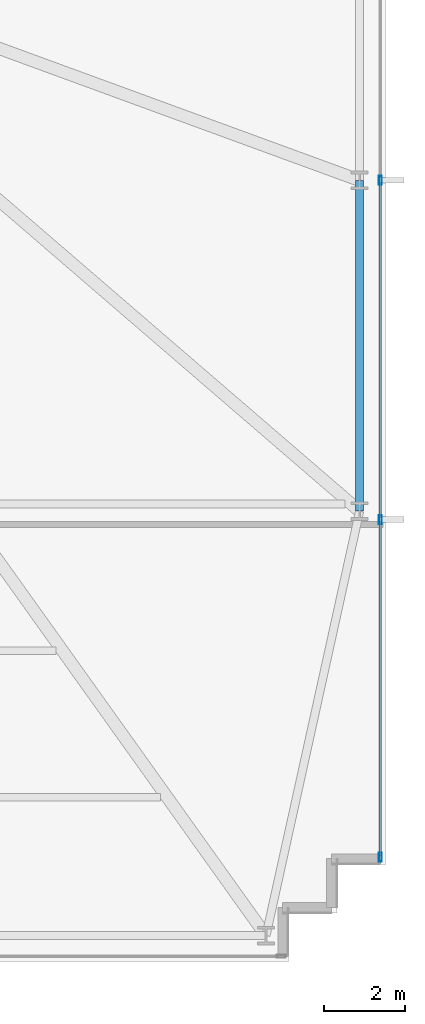
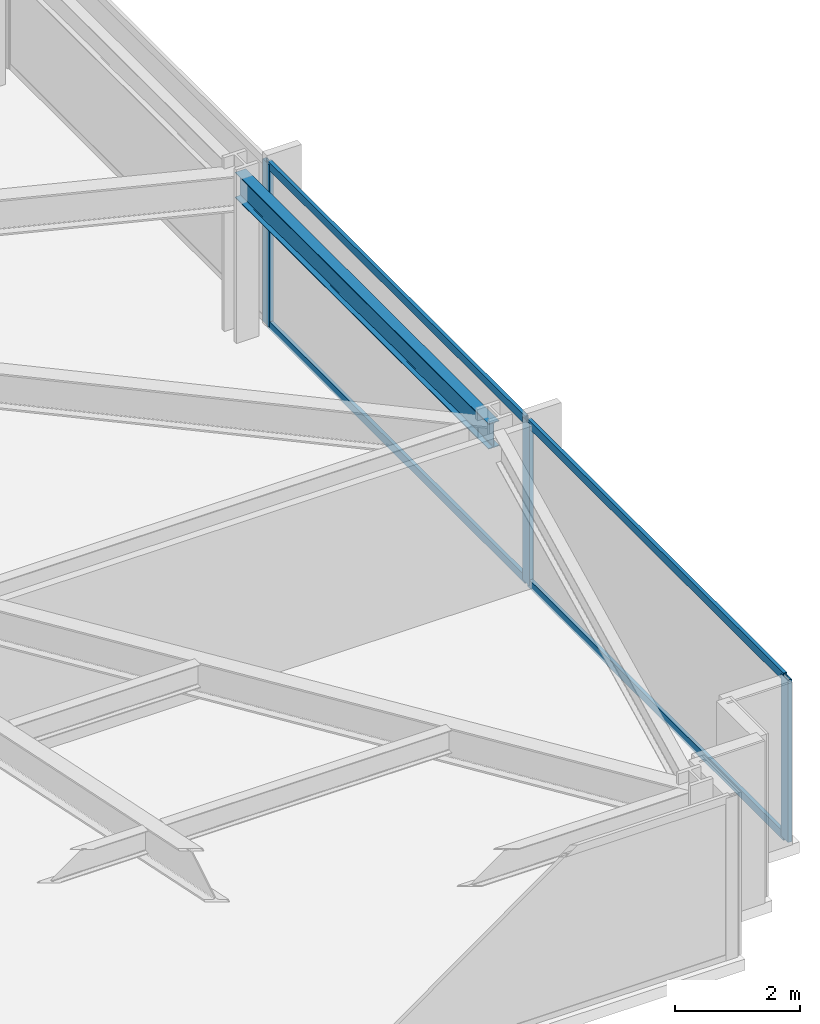
# One storey, part 22 of 32: 7 members, 1 beam, 1 element without a shape of its own.
"""IFC4 building model written with IfcOpenShell, lengths in metres."""

from ifc_helpers import new_model, si_unit, direction, frame, origin, origin_2d, place, context, subcontext, project, spatial, hollow_rectangle, i_section, extrude, material, material_profile, profile_set, type_object, element, aggregate, save


model = new_model("IFC4")

# Units and contexts
model_context = context("Model", 3, precision=1e-05, world=origin(), true_north=direction((0.0, 1.0)))
body_context = subcontext(model_context, "Body", "Model", "MODEL_VIEW")
ifc_project = project(units=[si_unit("LENGTHUNIT", "METRE"), si_unit("AREAUNIT", "SQUARE_METRE"), si_unit("VOLUMEUNIT", "CUBIC_METRE"), si_unit("PLANEANGLEUNIT", "RADIAN"), si_unit("MASSUNIT", "GRAM", prefix="KILO")], contexts=[model_context])

# Site, building, storey
site_placement = place(None, origin())
site = spatial("IfcSite", under=ifc_project, at=site_placement, CompositionType="ELEMENT")
building_placement = place(site_placement, origin())
building = spatial("IfcBuilding", under=site, at=building_placement, Name="Yelkora Congress Tower", CompositionType="ELEMENT")
storey_placement = place(building_placement, frame((0.0, 0.0, 44.0)))
storey = spatial("IfcBuildingStorey", under=building, at=storey_placement, Name="L10", CompositionType="ELEMENT", Elevation=44.0)

# Beam
ifc_material_1 = material(Name="Steel S355J2", Category="steel")
ifc_material_profile_1 = material_profile(ifc_material_1, i_section(OverallWidth=0.199951171875, OverallDepth=0.5, WebThickness=0.01025390625, FlangeThickness=0.01611328125, FilletRadius=0.02099609375, at=origin_2d()), Name="IPE 500")
ifc_profile_set_1 = profile_set([ifc_material_profile_1], Name="Steel S355J2")
beam_type = type_object("IfcBeamType", Name="BM-SPAN-IPE500", PredefinedType="SPANDREL", material=ifc_profile_set_1)
beam_placement = place(storey_placement, frame((70.14990234375, 21.27490234375, 2.929931640625), z_axis=(0.0, 1.0, 0.0), x_axis=(-1.0, 0.0, 0.0)))
element("IfcBeam", 1, at=beam_placement, inside=storey, type_object=beam_type, Name="L10 Perimeter Beam 11", PredefinedType="SPANDREL", context=body_context, shape_type="SweptSolid", body=[
    extrude(i_section(OverallWidth=0.199951171875, OverallDepth=0.5, WebThickness=0.01025390625, FlangeThickness=0.01611328125, FilletRadius=0.02099609375, at=origin_2d()), origin(), (0.0, 0.0, 1.0), 8.125),
])

# Curtain wall, members
ifc_material_2 = material(Name="Anodised aluminium and insulated glass", Category="aluminium")
curtain_wall_type = type_object("IfcCurtainWallType", Name="CW-SYS-B1", PredefinedType="NOTDEFINED", material=ifc_material_2)
curtain_wall_placement = place(storey_placement, origin())
curtain_wall = element("IfcCurtainWall", 2, at=curtain_wall_placement, inside=storey, type_object=curtain_wall_type, Name="L10 Unitised Curtain Wall 15", PredefinedType="NOTDEFINED")
ifc_material_3 = material(Name="Anodised aluminium 6063-T6", Category="aluminium")
ifc_material_profile_2 = material_profile(ifc_material_3, hollow_rectangle(XDim=0.074951171875, YDim=0.219970703125, WallThickness=0.0048828125, at=origin_2d()), Name="ALU 75x220x5")
ifc_profile_set_2 = profile_set([ifc_material_profile_2], Name="Anodised aluminium 6063-T6")
member_type_1 = type_object("IfcMemberType", Name="MEM-ML-B1", PredefinedType="MULLION", material=ifc_profile_set_2)
member_1_placement = place(storey_placement, frame((70.659912109375, 29.39990234375, 0.0), z_axis=(0.0, 0.0, 1.0), x_axis=(1.0, 0.0, 0.0)))
member_1 = element("IfcMember", 3, at=member_1_placement, type_object=member_type_1, Name="CW-B1 mullion 3", PredefinedType="MULLION", context=body_context, shape_type="SweptSolid", body=[
    extrude(hollow_rectangle(XDim=0.074951171875, YDim=0.219970703125, WallThickness=0.0048828125, at=origin_2d()), origin(), (0.0, 0.0, 1.0), 3.179931640625),
])
member_2_placement = place(storey_placement, frame((70.659912109375, 21.070068359375, 0.0), z_axis=(0.0, 0.0, 1.0), x_axis=(1.0, 0.0, 0.0)))
member_2 = element("IfcMember", 4, at=member_2_placement, type_object=member_type_1, Name="CW-B1 mullion 4", PredefinedType="MULLION", context=body_context, shape_type="SweptSolid", body=[
    extrude(hollow_rectangle(XDim=0.074951171875, YDim=0.219970703125, WallThickness=0.0048828125, at=origin_2d()), origin(), (0.0, 0.0, 1.0), 3.179931640625),
])
member_3_placement = place(storey_placement, frame((70.659912109375, 12.777587890625, 0.0), z_axis=(0.0, 0.0, 1.0), x_axis=(1.0, 0.0, 0.0)))
member_3 = element("IfcMember", 5, at=member_3_placement, type_object=member_type_1, Name="CW-B1 mullion 5", PredefinedType="MULLION", context=body_context, shape_type="SweptSolid", body=[
    extrude(hollow_rectangle(XDim=0.074951171875, YDim=0.219970703125, WallThickness=0.0048828125, at=origin_2d()), origin(), (0.0, 0.0, 1.0), 3.179931640625),
])
ifc_material_profile_3 = material_profile(ifc_material_3, hollow_rectangle(XDim=0.06494140625, YDim=0.159912109375, WallThickness=0.00390625, at=origin_2d()), Name="ALU 65x160x4")
ifc_profile_set_3 = profile_set([ifc_material_profile_3], Name="Anodised aluminium 6063-T6")
member_type_2 = type_object("IfcMemberType", Name="MEM-TR-B1", PredefinedType="USERDEFINED", material=ifc_profile_set_3)
member_4_placement = place(storey_placement, frame((70.659912109375, 29.362548828125, 0.032470703125), z_axis=(0.0, -1.0, 0.0), x_axis=(1.0, 0.0, 0.0)))
member_4 = element("IfcMember", 6, at=member_4_placement, type_object=member_type_2, Name="CW-B1 transom 3.1", ObjectType="TRANSOM", PredefinedType="USERDEFINED", context=body_context, shape_type="SweptSolid", body=[
    extrude(hollow_rectangle(XDim=0.06494140625, YDim=0.159912109375, WallThickness=0.00390625, at=origin_2d()), origin(), (0.0, 0.0, 1.0), 8.255126953125),
])
member_5_placement = place(storey_placement, frame((70.659912109375, 29.362548828125, 3.1474609375), z_axis=(0.0, -1.0, 0.0), x_axis=(1.0, 0.0, 0.0)))
member_5 = element("IfcMember", 7, at=member_5_placement, type_object=member_type_2, Name="CW-B1 transom 3.2", ObjectType="TRANSOM", PredefinedType="USERDEFINED", context=body_context, shape_type="SweptSolid", body=[
    extrude(hollow_rectangle(XDim=0.06494140625, YDim=0.159912109375, WallThickness=0.00390625, at=origin_2d()), origin(), (0.0, 0.0, 1.0), 8.255126953125),
])
member_6_placement = place(storey_placement, frame((70.659912109375, 21.032470703125, 0.032470703125), z_axis=(0.0, -1.0, 0.0), x_axis=(1.0, 0.0, 0.0)))
member_6 = element("IfcMember", 8, at=member_6_placement, type_object=member_type_2, Name="CW-B1 transom 4.1", ObjectType="TRANSOM", PredefinedType="USERDEFINED", context=body_context, shape_type="SweptSolid", body=[
    extrude(hollow_rectangle(XDim=0.06494140625, YDim=0.159912109375, WallThickness=0.00390625, at=origin_2d()), origin(), (0.0, 0.0, 1.0), 8.217529296875),
])
member_7_placement = place(storey_placement, frame((70.659912109375, 21.032470703125, 3.1474609375), z_axis=(0.0, -1.0, 0.0), x_axis=(1.0, 0.0, 0.0)))
member_7 = element("IfcMember", 9, at=member_7_placement, type_object=member_type_2, Name="CW-B1 transom 4.2", ObjectType="TRANSOM", PredefinedType="USERDEFINED", context=body_context, shape_type="SweptSolid", body=[
    extrude(hollow_rectangle(XDim=0.06494140625, YDim=0.159912109375, WallThickness=0.00390625, at=origin_2d()), origin(), (0.0, 0.0, 1.0), 8.217529296875),
])
aggregate(curtain_wall, [member_1, member_2, member_3, member_4, member_5, member_6, member_7])

save(model, "model.ifc")
